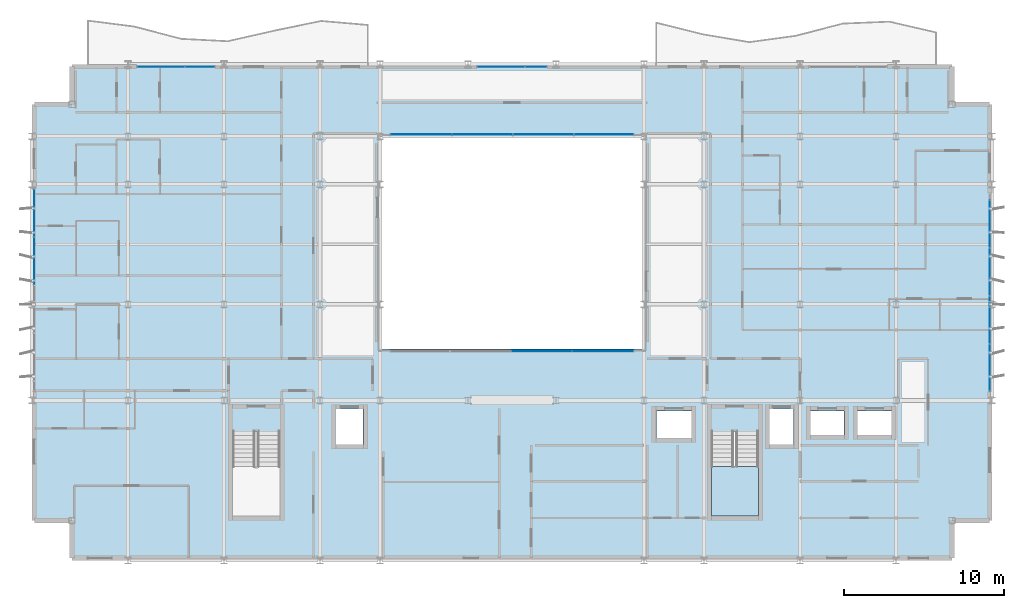
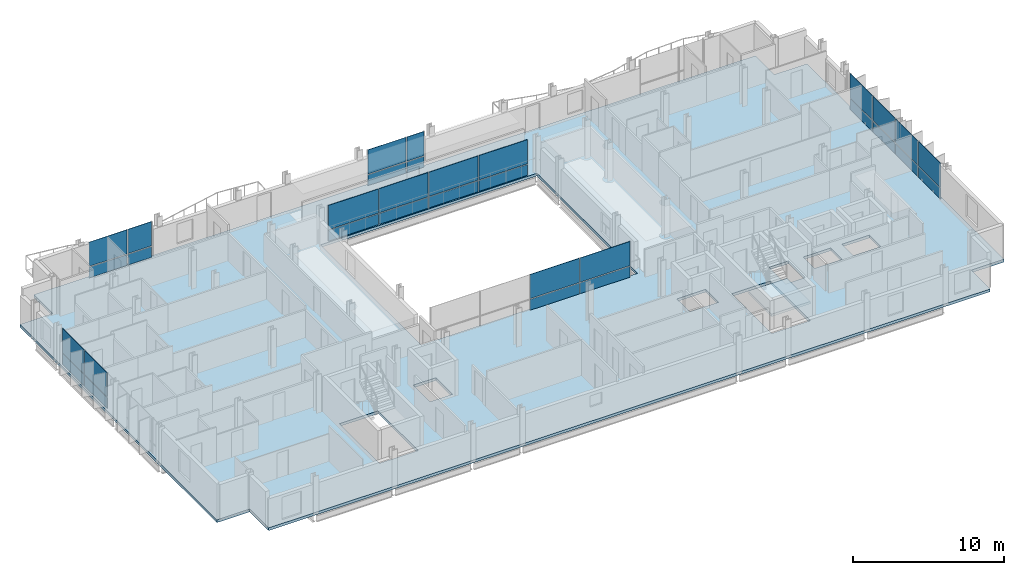
# One storey, part 25 of 39: 32 plates, 2 slabs, 7 elements without a shape of their own.
"""IFC4 building model written with IfcOpenShell, lengths in metres."""

from ifc_helpers import new_model, si_unit, direction, frame, origin, origin_2d, place, context, subcontext, project, spatial, polyline, rectangle, outline, extrude, material, layer, layer_set, type_object, element, aggregate, save


model = new_model("IFC4")

# Units and contexts
model_context = context("Model", 3, precision=1e-05, world=origin(), true_north=direction((0.0, 1.0)))
body_context = subcontext(model_context, "Body", "Model", "MODEL_VIEW")
ifc_project = project(units=[si_unit("LENGTHUNIT", "METRE"), si_unit("AREAUNIT", "SQUARE_METRE"), si_unit("VOLUMEUNIT", "CUBIC_METRE"), si_unit("PLANEANGLEUNIT", "RADIAN"), si_unit("MASSUNIT", "GRAM", prefix="KILO")], contexts=[model_context])

# Site, building, storey
site_placement = place(None, origin())
site = spatial("IfcSite", under=ifc_project, at=site_placement, CompositionType="ELEMENT")
building_placement = place(site_placement, origin())
building = spatial("IfcBuilding", under=site, at=building_placement, Name="Brevholm Reach", CompositionType="ELEMENT")
storey_placement = place(building_placement, frame((0.0, 0.0, 154.199951171875)))
storey = spatial("IfcBuildingStorey", under=building, at=storey_placement, Name="L46", CompositionType="ELEMENT", Elevation=154.199951171875)

# Curtain wall, plates
ifc_material_1 = material(Name="Dark Anodised Aluminium 6063-T6 and Solar-Control Glass", Category="aluminium")
ifc_layer_1 = layer(ifc_material_1, 0.14990234375)
ifc_layer_set_1 = layer_set([ifc_layer_1], Name="Dark Anodised Aluminium 6063-T6 and Solar-Control Glass")
curtain_wall_type_1 = type_object("IfcCurtainWallType", Name="CW-01", PredefinedType="NOTDEFINED", material=ifc_layer_set_1)
curtain_wall_1_placement = place(storey_placement, origin())
curtain_wall_1 = element("IfcCurtainWall", 1, at=curtain_wall_1_placement, inside=storey, type_object=curtain_wall_type_1, Name="L46 Curtain Wall CW-01", PredefinedType="NOTDEFINED")
ifc_material_2 = material(Name="Dark Solar-Control Double-Glazed IGU Glass", Category="glass")
ifc_layer_2 = layer(ifc_material_2, 0.028076171875)
ifc_layer_set_2 = layer_set([ifc_layer_2], Name="Dark Solar-Control Double-Glazed IGU Glass")
plate_type_1 = type_object("IfcPlateType", Name="CWP-GLZ-28", PredefinedType="CURTAIN_PANEL", material=ifc_layer_set_2)
plate_1_placement = place(storey_placement, frame((0.14990234375, 21.703857421875, 0.0), z_axis=(0.0, 0.0, 1.0), x_axis=(0.0, -1.0, 0.0)))
plate_1 = element("IfcPlate", 2, at=plate_1_placement, type_object=plate_type_1, Name="CP-01 Glazing Panel 1.1", PredefinedType="CURTAIN_PANEL", context=body_context, shape_type="SweptSolid", body=[
    extrude(rectangle(XDim=2.902587890625, YDim=0.028076171875, at=origin_2d()), origin(), (0.0, 0.0, 1.0), 0.867431640625),
])
plate_2_placement = place(storey_placement, frame((0.14990234375, 21.703857421875, 0.9326171875), z_axis=(0.0, 0.0, 1.0), x_axis=(0.0, -1.0, 0.0)))
plate_2 = element("IfcPlate", 3, at=plate_2_placement, type_object=plate_type_1, Name="CP-01 Glazing Panel 1.2", PredefinedType="CURTAIN_PANEL", context=body_context, shape_type="SweptSolid", body=[
    extrude(rectangle(XDim=2.902587890625, YDim=0.028076171875, at=origin_2d()), origin(), (0.0, 0.0, 1.0), 1.947509765625),
])
plate_3_placement = place(storey_placement, frame((0.14990234375, 18.719970703125, 0.0), z_axis=(0.0, 0.0, 1.0), x_axis=(0.0, -1.0, 0.0)))
plate_3 = element("IfcPlate", 4, at=plate_3_placement, type_object=plate_type_1, Name="CP-01 Glazing Panel 2.1", PredefinedType="CURTAIN_PANEL", context=body_context, shape_type="SweptSolid", body=[
    extrude(rectangle(XDim=2.93505859375, YDim=0.028076171875, at=origin_2d()), origin(), (0.0, 0.0, 1.0), 0.867431640625),
])
plate_4_placement = place(storey_placement, frame((0.14990234375, 18.719970703125, 0.9326171875), z_axis=(0.0, 0.0, 1.0), x_axis=(0.0, -1.0, 0.0)))
plate_4 = element("IfcPlate", 5, at=plate_4_placement, type_object=plate_type_1, Name="CP-01 Glazing Panel 2.2", PredefinedType="CURTAIN_PANEL", context=body_context, shape_type="SweptSolid", body=[
    extrude(rectangle(XDim=2.93505859375, YDim=0.028076171875, at=origin_2d()), origin(), (0.0, 0.0, 1.0), 1.947509765625),
])
aggregate(curtain_wall_1, [plate_1, plate_2, plate_3, plate_4])

curtain_wall_2_placement = place(storey_placement, origin())
curtain_wall_2 = element("IfcCurtainWall", 6, at=curtain_wall_2_placement, inside=storey, type_object=curtain_wall_type_1, Name="L46 Curtain Wall CW-01", PredefinedType="NOTDEFINED")
plate_5_placement = place(storey_placement, frame((59.85009765625, 12.066162109375, 0.0), z_axis=(0.0, 0.0, 1.0), x_axis=(0.0, 1.0, 0.0)))
plate_5 = element("IfcPlate", 7, at=plate_5_placement, type_object=plate_type_1, Name="CP-01 Glazing Panel 1.1", PredefinedType="CURTAIN_PANEL", context=body_context, shape_type="SweptSolid", body=[
    extrude(rectangle(XDim=2.902587890625, YDim=0.028076171875, at=origin_2d()), origin(), (0.0, 0.0, 1.0), 0.867431640625),
])
plate_6_placement = place(storey_placement, frame((59.85009765625, 12.066162109375, 0.9326171875), z_axis=(0.0, 0.0, 1.0), x_axis=(0.0, 1.0, 0.0)))
plate_6 = element("IfcPlate", 8, at=plate_6_placement, type_object=plate_type_1, Name="CP-01 Glazing Panel 1.2", PredefinedType="CURTAIN_PANEL", context=body_context, shape_type="SweptSolid", body=[
    extrude(rectangle(XDim=2.902587890625, YDim=0.028076171875, at=origin_2d()), origin(), (0.0, 0.0, 1.0), 1.947509765625),
])
plate_7_placement = place(storey_placement, frame((59.85009765625, 15.050048828125, 0.0), z_axis=(0.0, 0.0, 1.0), x_axis=(0.0, 1.0, 0.0)))
plate_7 = element("IfcPlate", 9, at=plate_7_placement, type_object=plate_type_1, Name="CP-01 Glazing Panel 2.1", PredefinedType="CURTAIN_PANEL", context=body_context, shape_type="SweptSolid", body=[
    extrude(rectangle(XDim=2.93505859375, YDim=0.028076171875, at=origin_2d()), origin(), (0.0, 0.0, 1.0), 0.867431640625),
])
plate_8_placement = place(storey_placement, frame((59.85009765625, 15.050048828125, 0.9326171875), z_axis=(0.0, 0.0, 1.0), x_axis=(0.0, 1.0, 0.0)))
plate_8 = element("IfcPlate", 10, at=plate_8_placement, type_object=plate_type_1, Name="CP-01 Glazing Panel 2.2", PredefinedType="CURTAIN_PANEL", context=body_context, shape_type="SweptSolid", body=[
    extrude(rectangle(XDim=2.93505859375, YDim=0.028076171875, at=origin_2d()), origin(), (0.0, 0.0, 1.0), 1.947509765625),
])
plate_9_placement = place(storey_placement, frame((59.85009765625, 18.050048828125, 0.0), z_axis=(0.0, 0.0, 1.0), x_axis=(0.0, 1.0, 0.0)))
plate_9 = element("IfcPlate", 11, at=plate_9_placement, type_object=plate_type_1, Name="CP-01 Glazing Panel 3.1", PredefinedType="CURTAIN_PANEL", context=body_context, shape_type="SweptSolid", body=[
    extrude(rectangle(XDim=2.93505859375, YDim=0.028076171875, at=origin_2d()), origin(), (0.0, 0.0, 1.0), 0.867431640625),
])
plate_10_placement = place(storey_placement, frame((59.85009765625, 18.050048828125, 0.9326171875), z_axis=(0.0, 0.0, 1.0), x_axis=(0.0, 1.0, 0.0)))
plate_10 = element("IfcPlate", 12, at=plate_10_placement, type_object=plate_type_1, Name="CP-01 Glazing Panel 3.2", PredefinedType="CURTAIN_PANEL", context=body_context, shape_type="SweptSolid", body=[
    extrude(rectangle(XDim=2.93505859375, YDim=0.028076171875, at=origin_2d()), origin(), (0.0, 0.0, 1.0), 1.947509765625),
])
plate_11_placement = place(storey_placement, frame((59.85009765625, 21.050048828125, 0.0), z_axis=(0.0, 0.0, 1.0), x_axis=(0.0, 1.0, 0.0)))
plate_11 = element("IfcPlate", 13, at=plate_11_placement, type_object=plate_type_1, Name="CP-01 Glazing Panel 4.1", PredefinedType="CURTAIN_PANEL", context=body_context, shape_type="SweptSolid", body=[
    extrude(rectangle(XDim=2.93505859375, YDim=0.028076171875, at=origin_2d()), origin(), (0.0, 0.0, 1.0), 0.867431640625),
])
plate_12_placement = place(storey_placement, frame((59.85009765625, 21.050048828125, 0.9326171875), z_axis=(0.0, 0.0, 1.0), x_axis=(0.0, 1.0, 0.0)))
plate_12 = element("IfcPlate", 14, at=plate_12_placement, type_object=plate_type_1, Name="CP-01 Glazing Panel 4.2", PredefinedType="CURTAIN_PANEL", context=body_context, shape_type="SweptSolid", body=[
    extrude(rectangle(XDim=2.93505859375, YDim=0.028076171875, at=origin_2d()), origin(), (0.0, 0.0, 1.0), 1.947509765625),
])
aggregate(curtain_wall_2, [plate_5, plate_6, plate_7, plate_8, plate_9, plate_10, plate_11, plate_12])

curtain_wall_3_placement = place(storey_placement, origin())
curtain_wall_3 = element("IfcCurtainWall", 15, at=curtain_wall_3_placement, inside=storey, type_object=curtain_wall_type_1, Name="L46 Curtain Wall CW-01", PredefinedType="NOTDEFINED")
plate_13_placement = place(storey_placement, frame((8.066162109375, 30.85009765625, 0.0), z_axis=(0.0, 0.0, 1.0), x_axis=(1.0, 0.0, 0.0)))
plate_13 = element("IfcPlate", 16, at=plate_13_placement, type_object=plate_type_1, Name="CP-01 Glazing Panel 1.1", PredefinedType="CURTAIN_PANEL", context=body_context, shape_type="SweptSolid", body=[
    extrude(rectangle(XDim=2.902587890625, YDim=0.028076171875, at=origin_2d()), origin(), (0.0, 0.0, 1.0), 0.867431640625),
])
plate_14_placement = place(storey_placement, frame((8.066162109375, 30.85009765625, 0.9326171875), z_axis=(0.0, 0.0, 1.0), x_axis=(1.0, 0.0, 0.0)))
plate_14 = element("IfcPlate", 17, at=plate_14_placement, type_object=plate_type_1, Name="CP-01 Glazing Panel 1.2", PredefinedType="CURTAIN_PANEL", context=body_context, shape_type="SweptSolid", body=[
    extrude(rectangle(XDim=2.902587890625, YDim=0.028076171875, at=origin_2d()), origin(), (0.0, 0.0, 1.0), 1.947509765625),
])
plate_15_placement = place(storey_placement, frame((10.483642578125, 30.85009765625, 0.0), z_axis=(0.0, 0.0, 1.0), x_axis=(1.0, 0.0, 0.0)))
plate_15 = element("IfcPlate", 18, at=plate_15_placement, type_object=plate_type_1, Name="CP-01 Glazing Panel 2.1", PredefinedType="CURTAIN_PANEL", context=body_context, shape_type="SweptSolid", body=[
    extrude(rectangle(XDim=1.802490234375, YDim=0.028076171875, at=origin_2d()), origin(), (0.0, 0.0, 1.0), 0.867431640625),
])
plate_16_placement = place(storey_placement, frame((10.483642578125, 30.85009765625, 0.9326171875), z_axis=(0.0, 0.0, 1.0), x_axis=(1.0, 0.0, 0.0)))
plate_16 = element("IfcPlate", 19, at=plate_16_placement, type_object=plate_type_1, Name="CP-01 Glazing Panel 2.2", PredefinedType="CURTAIN_PANEL", context=body_context, shape_type="SweptSolid", body=[
    extrude(rectangle(XDim=1.802490234375, YDim=0.028076171875, at=origin_2d()), origin(), (0.0, 0.0, 1.0), 1.947509765625),
])
aggregate(curtain_wall_3, [plate_13, plate_14, plate_15, plate_16])

curtain_wall_4_placement = place(storey_placement, origin())
curtain_wall_4 = element("IfcCurtainWall", 20, at=curtain_wall_4_placement, inside=storey, type_object=curtain_wall_type_1, Name="L46 Curtain Wall CW-01", PredefinedType="NOTDEFINED")
plate_17_placement = place(storey_placement, frame((29.316162109375, 30.85009765625, 0.0), z_axis=(0.0, 0.0, 1.0), x_axis=(1.0, 0.0, 0.0)))
plate_17 = element("IfcPlate", 21, at=plate_17_placement, type_object=plate_type_1, Name="CP-01 Glazing Panel 1.1", PredefinedType="CURTAIN_PANEL", context=body_context, shape_type="SweptSolid", body=[
    extrude(rectangle(XDim=2.902587890625, YDim=0.028076171875, at=origin_2d()), origin(), (0.0, 0.0, 1.0), 0.867431640625),
])
plate_18_placement = place(storey_placement, frame((29.316162109375, 30.85009765625, 0.9326171875), z_axis=(0.0, 0.0, 1.0), x_axis=(1.0, 0.0, 0.0)))
plate_18 = element("IfcPlate", 22, at=plate_18_placement, type_object=plate_type_1, Name="CP-01 Glazing Panel 1.2", PredefinedType="CURTAIN_PANEL", context=body_context, shape_type="SweptSolid", body=[
    extrude(rectangle(XDim=2.902587890625, YDim=0.028076171875, at=origin_2d()), origin(), (0.0, 0.0, 1.0), 1.947509765625),
])
plate_19_placement = place(storey_placement, frame((31.483642578125, 30.85009765625, 0.0), z_axis=(0.0, 0.0, 1.0), x_axis=(1.0, 0.0, 0.0)))
plate_19 = element("IfcPlate", 23, at=plate_19_placement, type_object=plate_type_1, Name="CP-01 Glazing Panel 2.1", PredefinedType="CURTAIN_PANEL", context=body_context, shape_type="SweptSolid", body=[
    extrude(rectangle(XDim=1.302490234375, YDim=0.028076171875, at=origin_2d()), origin(), (0.0, 0.0, 1.0), 0.867431640625),
])
plate_20_placement = place(storey_placement, frame((31.483642578125, 30.85009765625, 0.9326171875), z_axis=(0.0, 0.0, 1.0), x_axis=(1.0, 0.0, 0.0)))
plate_20 = element("IfcPlate", 24, at=plate_20_placement, type_object=plate_type_1, Name="CP-01 Glazing Panel 2.2", PredefinedType="CURTAIN_PANEL", context=body_context, shape_type="SweptSolid", body=[
    extrude(rectangle(XDim=1.302490234375, YDim=0.028076171875, at=origin_2d()), origin(), (0.0, 0.0, 1.0), 1.947509765625),
])
aggregate(curtain_wall_4, [plate_17, plate_18, plate_19, plate_20])

ifc_material_3 = material(Name="Dark Anodised Aluminium 6063-T6 and Solar-Control Glass", Category="aluminium")
ifc_layer_3 = layer(ifc_material_3, 0.139892578125)
ifc_layer_set_3 = layer_set([ifc_layer_3], Name="Dark Anodised Aluminium 6063-T6 and Solar-Control Glass")
curtain_wall_type_2 = type_object("IfcCurtainWallType", Name="CW-02", PredefinedType="NOTDEFINED", material=ifc_layer_set_3)
curtain_wall_5_placement = place(storey_placement, origin())
curtain_wall_5 = element("IfcCurtainWall", 25, at=curtain_wall_5_placement, inside=storey, type_object=curtain_wall_type_2, Name="L46 Curtain Wall CW-02", PredefinedType="NOTDEFINED")
ifc_material_4 = material(Name="Low-Iron Laminated Acoustic Glass", Category="glass")
ifc_layer_4 = layer(ifc_material_4, 0.035888671875)
ifc_layer_set_4 = layer_set([ifc_layer_4], Name="Low-Iron Laminated Acoustic Glass")
plate_type_2 = type_object("IfcPlateType", Name="CWP-GLZ-36", PredefinedType="CURTAIN_PANEL", material=ifc_layer_set_4)
plate_21_placement = place(storey_placement, frame((31.85009765625, 13.080078125, 0.0), z_axis=(0.0, 0.0, 1.0), x_axis=(1.0, 0.0, 0.0)))
plate_21 = element("IfcPlate", 26, at=plate_21_placement, type_object=plate_type_2, Name="CP-02 Glazing Panel 3.1", PredefinedType="CURTAIN_PANEL", context=body_context, shape_type="SweptSolid", body=[
    extrude(rectangle(XDim=3.739990234375, YDim=0.035888671875, at=origin_2d()), origin(), (0.0, 0.0, 1.0), 0.8701171875),
])
plate_22_placement = place(storey_placement, frame((31.85009765625, 13.080078125, 0.93017578125), z_axis=(0.0, 0.0, 1.0), x_axis=(1.0, 0.0, 0.0)))
plate_22 = element("IfcPlate", 27, at=plate_22_placement, type_object=plate_type_2, Name="CP-02 Glazing Panel 3.2", PredefinedType="CURTAIN_PANEL", context=body_context, shape_type="SweptSolid", body=[
    extrude(rectangle(XDim=3.739990234375, YDim=0.035888671875, at=origin_2d()), origin(), (0.0, 0.0, 1.0), 1.949951171875),
])
plate_23_placement = place(storey_placement, frame((35.68505859375, 13.080078125, 0.0), z_axis=(0.0, 0.0, 1.0), x_axis=(1.0, 0.0, 0.0)))
plate_23 = element("IfcPlate", 28, at=plate_23_placement, type_object=plate_type_2, Name="CP-02 Glazing Panel 4.1", PredefinedType="CURTAIN_PANEL", context=body_context, shape_type="SweptSolid", body=[
    extrude(rectangle(XDim=3.81005859375, YDim=0.035888671875, at=origin_2d()), origin(), (0.0, 0.0, 1.0), 0.8701171875),
])
plate_24_placement = place(storey_placement, frame((35.68505859375, 13.080078125, 0.93017578125), z_axis=(0.0, 0.0, 1.0), x_axis=(1.0, 0.0, 0.0)))
plate_24 = element("IfcPlate", 29, at=plate_24_placement, type_object=plate_type_2, Name="CP-02 Glazing Panel 4.2", PredefinedType="CURTAIN_PANEL", context=body_context, shape_type="SweptSolid", body=[
    extrude(rectangle(XDim=3.81005859375, YDim=0.035888671875, at=origin_2d()), origin(), (0.0, 0.0, 1.0), 1.949951171875),
])
aggregate(curtain_wall_5, [plate_21, plate_22, plate_23, plate_24])

curtain_wall_6_placement = place(storey_placement, origin())
curtain_wall_6 = element("IfcCurtainWall", 30, at=curtain_wall_6_placement, inside=storey, type_object=curtain_wall_type_2, Name="L46 Curtain Wall CW-02", PredefinedType="NOTDEFINED")
plate_25_placement = place(storey_placement, frame((35.735107421875, 26.6201171875, 0.0), z_axis=(0.0, 0.0, 1.0), x_axis=(-1.0, 0.0, 0.0)))
plate_25 = element("IfcPlate", 31, at=plate_25_placement, type_object=plate_type_2, Name="CP-02 Glazing Panel 1.1", PredefinedType="CURTAIN_PANEL", context=body_context, shape_type="SweptSolid", body=[
    extrude(rectangle(XDim=3.7099609375, YDim=0.035888671875, at=origin_2d()), origin(), (0.0, 0.0, 1.0), 0.8701171875),
])
plate_26_placement = place(storey_placement, frame((35.735107421875, 26.6201171875, 0.93017578125), z_axis=(0.0, 0.0, 1.0), x_axis=(-1.0, 0.0, 0.0)))
plate_26 = element("IfcPlate", 32, at=plate_26_placement, type_object=plate_type_2, Name="CP-02 Glazing Panel 1.2", PredefinedType="CURTAIN_PANEL", context=body_context, shape_type="SweptSolid", body=[
    extrude(rectangle(XDim=3.7099609375, YDim=0.035888671875, at=origin_2d()), origin(), (0.0, 0.0, 1.0), 1.949951171875),
])
plate_27_placement = place(storey_placement, frame((31.949951171875, 26.6201171875, 0.0), z_axis=(0.0, 0.0, 1.0), x_axis=(-1.0, 0.0, 0.0)))
plate_27 = element("IfcPlate", 33, at=plate_27_placement, type_object=plate_type_2, Name="CP-02 Glazing Panel 2.1", PredefinedType="CURTAIN_PANEL", context=body_context, shape_type="SweptSolid", body=[
    extrude(rectangle(XDim=3.739990234375, YDim=0.035888671875, at=origin_2d()), origin(), (0.0, 0.0, 1.0), 0.8701171875),
])
plate_28_placement = place(storey_placement, frame((31.949951171875, 26.6201171875, 0.93017578125), z_axis=(0.0, 0.0, 1.0), x_axis=(-1.0, 0.0, 0.0)))
plate_28 = element("IfcPlate", 34, at=plate_28_placement, type_object=plate_type_2, Name="CP-02 Glazing Panel 2.2", PredefinedType="CURTAIN_PANEL", context=body_context, shape_type="SweptSolid", body=[
    extrude(rectangle(XDim=3.739990234375, YDim=0.035888671875, at=origin_2d()), origin(), (0.0, 0.0, 1.0), 1.949951171875),
])
plate_29_placement = place(storey_placement, frame((28.14990234375, 26.6201171875, 0.0), z_axis=(0.0, 0.0, 1.0), x_axis=(-1.0, 0.0, 0.0)))
plate_29 = element("IfcPlate", 35, at=plate_29_placement, type_object=plate_type_2, Name="CP-02 Glazing Panel 3.1", PredefinedType="CURTAIN_PANEL", context=body_context, shape_type="SweptSolid", body=[
    extrude(rectangle(XDim=3.739990234375, YDim=0.035888671875, at=origin_2d()), origin(), (0.0, 0.0, 1.0), 0.8701171875),
])
plate_30_placement = place(storey_placement, frame((28.14990234375, 26.6201171875, 0.93017578125), z_axis=(0.0, 0.0, 1.0), x_axis=(-1.0, 0.0, 0.0)))
plate_30 = element("IfcPlate", 36, at=plate_30_placement, type_object=plate_type_2, Name="CP-02 Glazing Panel 3.2", PredefinedType="CURTAIN_PANEL", context=body_context, shape_type="SweptSolid", body=[
    extrude(rectangle(XDim=3.739990234375, YDim=0.035888671875, at=origin_2d()), origin(), (0.0, 0.0, 1.0), 1.949951171875),
])
plate_31_placement = place(storey_placement, frame((24.31494140625, 26.6201171875, 0.0), z_axis=(0.0, 0.0, 1.0), x_axis=(-1.0, 0.0, 0.0)))
plate_31 = element("IfcPlate", 37, at=plate_31_placement, type_object=plate_type_2, Name="CP-02 Glazing Panel 4.1", PredefinedType="CURTAIN_PANEL", context=body_context, shape_type="SweptSolid", body=[
    extrude(rectangle(XDim=3.81005859375, YDim=0.035888671875, at=origin_2d()), origin(), (0.0, 0.0, 1.0), 0.8701171875),
])
plate_32_placement = place(storey_placement, frame((24.31494140625, 26.6201171875, 0.93017578125), z_axis=(0.0, 0.0, 1.0), x_axis=(-1.0, 0.0, 0.0)))
plate_32 = element("IfcPlate", 38, at=plate_32_placement, type_object=plate_type_2, Name="CP-02 Glazing Panel 4.2", PredefinedType="CURTAIN_PANEL", context=body_context, shape_type="SweptSolid", body=[
    extrude(rectangle(XDim=3.81005859375, YDim=0.035888671875, at=origin_2d()), origin(), (0.0, 0.0, 1.0), 1.949951171875),
])
aggregate(curtain_wall_6, [plate_25, plate_26, plate_27, plate_28, plate_29, plate_30, plate_31, plate_32])

# Slab
ifc_material_5 = material(Name="Concrete C40/50", Category="concrete")
ifc_layer_5 = layer(ifc_material_5, 0.219970703125)
ifc_layer_set_5 = layer_set([ifc_layer_5], Name="Concrete C40/50")
slab_type_1 = type_object("IfcSlabType", Name="SLB-FL-220", PredefinedType="FLOOR", material=ifc_layer_set_5)
slab_1_placement = place(storey_placement, frame((0.0, 0.0, -0.219970703125)))
element("IfcSlab", 39, at=slab_1_placement, inside=storey, type_object=slab_type_1, Name="L46 Suspended Floor Slab (main)", PredefinedType="FLOOR", context=body_context, shape_type="SweptSolid", body=[
    extrude(outline(polyline([(2.5, 0.0), (57.5, 0.0), (57.5, 2.5), (60.0, 2.5), (60.0, 28.5), (57.5, 28.5), (57.5, 31.0), (2.5, 31.0), (2.5, 28.5), (0.0, 28.5), (0.0, 2.5), (2.5, 2.5), (2.5, 0.0)]), holes=[polyline([(21.75, 13.199951171875), (38.25, 13.199951171875), (38.25, 26.5), (21.75, 26.5), (21.75, 13.199951171875)]), polyline([(12.550048828125, 2.780029296875), (15.5, 2.780029296875), (15.5, 8.044921875), (12.550048828125, 8.044921875), (12.550048828125, 2.780029296875)]), polyline([(42.449951171875, 2.780029296875), (45.39990234375, 2.780029296875), (45.39990234375, 8.044921875), (42.449951171875, 8.044921875), (42.449951171875, 2.780029296875)]), polyline([(19.0, 7.25), (20.699951171875, 7.25), (20.699951171875, 9.449951171875), (19.0, 9.449951171875), (19.0, 7.25)]), polyline([(46.10009765625, 7.25), (47.60009765625, 7.25), (47.60009765625, 9.449951171875), (46.10009765625, 9.449951171875), (46.10009765625, 7.25)]), polyline([(39.02001953125, 7.64990234375), (41.219970703125, 7.64990234375), (41.219970703125, 9.35009765625), (39.02001953125, 9.35009765625), (39.02001953125, 7.64990234375)]), polyline([(48.64990234375, 7.85009765625), (50.75, 7.85009765625), (50.75, 9.35009765625), (48.64990234375, 9.35009765625), (48.64990234375, 7.85009765625)]), polyline([(51.60009765625, 7.85009765625), (53.699951171875, 7.85009765625), (53.699951171875, 9.35009765625), (51.60009765625, 9.35009765625), (51.60009765625, 7.85009765625)])]), origin(), (0.0, 0.0, 1.0), 0.219970703125),
])

# Stair, slab
ifc_material_6 = material(Name="Precast Concrete C40/50", Category="concrete")
stair_type = type_object("IfcStairType", Name="STR-ESC-1400", PredefinedType="DOUBLE_RETURN_STAIR", material=ifc_material_6)
stair_placement = place(storey_placement, origin())
stair = element("IfcStair", 40, at=stair_placement, inside=storey, type_object=stair_type, Name="L46 ST-2", PredefinedType="DOUBLE_RETURN_STAIR")
ifc_material_7 = material(Name="Concrete C40/50", Category="concrete")
ifc_layer_6 = layer(ifc_material_7, 0.199951171875)
ifc_layer_set_6 = layer_set([ifc_layer_6], Name="Concrete C40/50")
slab_type_2 = type_object("IfcSlabType", Name="SLB-LND-200", PredefinedType="LANDING", material=ifc_layer_set_6)
slab_2_placement = place(storey_placement, frame((0.0, 0.0, 1.35009765625)))
slab_2 = element("IfcSlab", 41, at=slab_2_placement, type_object=slab_type_2, Name="ST-2 landing 1", PredefinedType="LANDING", context=body_context, shape_type="SweptSolid", body=[
    extrude(outline(polyline([(42.449951171875, 5.860107421875), (42.449951171875, 2.780029296875), (45.39990234375, 2.780029296875), (45.39990234375, 5.860107421875), (42.449951171875, 5.860107421875)])), origin(), (0.0, 0.0, 1.0), 0.199951171875),
])
aggregate(stair, [slab_2])

save(model, "model.ifc")
